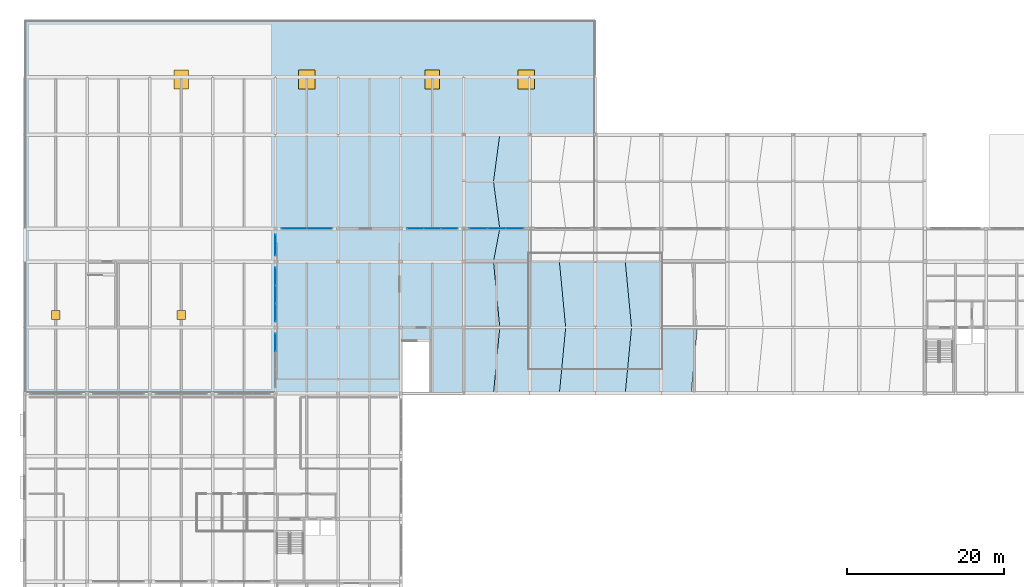
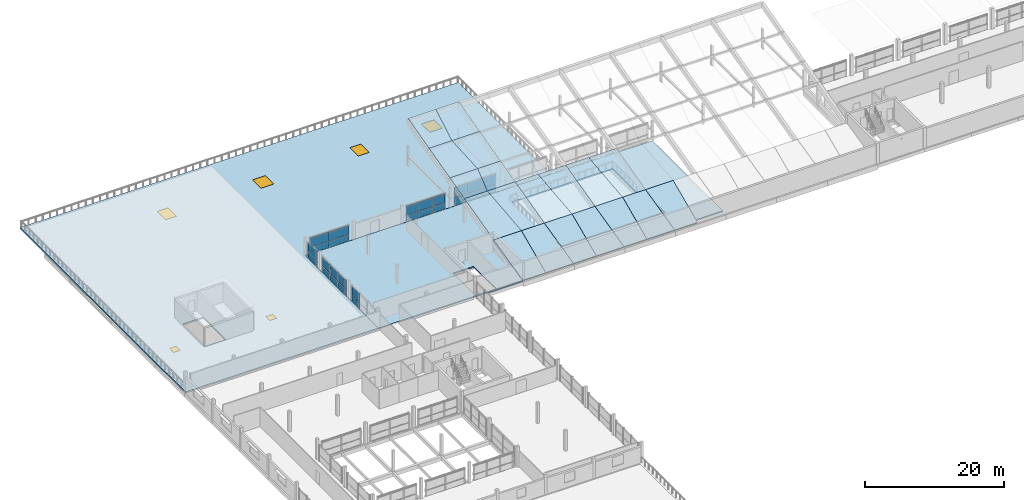
# One storey, part 35 of 51: 26 plates, 21 slabs, 4 windows, 2 doors, 6 openings, 6 elements without a shape of their own.
"""IFC4 building model written with IfcOpenShell, lengths in metres."""

import ifcopenshell
import ifcopenshell.guid

model = None  # the IFC model being written
_history = None  # IfcOwnerHistory: only IFC2X3 demands one
_inside = {}  # id of a spatial element -> (the spatial element, [elements in it])
_under = {}  # id of a project, library or spatial element -> (it, [spatial elements below it])
_declared = {}  # id of a project -> (the project, [libraries it declares])
_typed = {}  # id of a type object -> (the type object, [elements of that type])
_made_of = {}  # id of a material, layer set ... -> (it, [elements and type objects made of it])


def new_model(schema):
    """Start an empty IFC model of exactly this schema.

    Asked for "IFC4X3", IfcOpenShell would pick the latest addendum, in which some entities
    have other attributes; the version numbers below select the first issue.
    IFC2X3 requires an IfcOwnerHistory on every rooted entity: one is made here for all.
    """
    global model, _history
    if schema == "IFC4X3":
        model = ifcopenshell.file(schema_version=(4, 3, 0, 0))
    else:
        model = ifcopenshell.file(schema=schema)
    _inside.clear()
    _under.clear()
    _declared.clear()
    _typed.clear()
    _made_of.clear()
    _history = None
    if model.schema == "IFC2X3":
        org = make("IfcOrganization", Name="unknown")
        user = make(
            "IfcPersonAndOrganization",
            ThePerson=make("IfcPerson", FamilyName="unknown"),
            TheOrganization=org,
        )
        app = make(
            "IfcApplication",
            ApplicationDeveloper=org,
            Version="unknown",
            ApplicationFullName="unknown",
            ApplicationIdentifier="unknown",
        )
        _history = make(
            "IfcOwnerHistory",
            OwningUser=user,
            OwningApplication=app,
            ChangeAction="ADDED",
            CreationDate=0,
        )
    return model


def make(cls, **values):
    """One entity of the class cls with the attributes given. An attribute that is None is left unset."""
    return model.create_entity(
        cls, **{name: value for name, value in values.items() if value is not None}
    )


def rooted(cls, **values):
    """An entity with a GlobalId (a new one), such as an element, a storey or a relation."""
    return make(cls, GlobalId=ifcopenshell.guid.new(), OwnerHistory=_history, **values)


def si_unit(unit_type, name, prefix=None):
    """IfcSIUnit, for example si_unit("LENGTHUNIT", "METRE", prefix="MILLI")."""
    return make("IfcSIUnit", UnitType=unit_type, Prefix=prefix, Name=name)


def assignment(units):
    """IfcUnitAssignment: the units of a project."""
    return None if units is None else make("IfcUnitAssignment", Units=units)


def point(xyz):
    """IfcCartesianPoint."""
    return None if xyz is None else make("IfcCartesianPoint", Coordinates=xyz)


def direction(xyz):
    """IfcDirection."""
    return None if xyz is None else make("IfcDirection", DirectionRatios=xyz)


def frame(location, z_axis=None, x_axis=None):
    """IfcAxis2Placement3D, a coordinate frame: its origin and axes. An axis left out is left unset."""
    return make(
        "IfcAxis2Placement3D",
        Location=point(location),
        Axis=direction(z_axis),
        RefDirection=direction(x_axis),
    )


def frame_2d(location, x_axis=None):
    """IfcAxis2Placement2D, a coordinate frame in the plane: its origin and x axis."""
    return make(
        "IfcAxis2Placement2D", Location=point(location), RefDirection=direction(x_axis)
    )


def origin():
    """The frame at (0, 0, 0) with its axes left unset."""
    return frame((0.0, 0.0, 0.0))


def origin_2d():
    """The frame at (0, 0) in the plane with its x axis left unset."""
    return frame_2d((0.0, 0.0))


def place(relative_to, where):
    """IfcLocalPlacement: puts the frame where relative to a parent placement (None: the world)."""
    return make(
        "IfcLocalPlacement", PlacementRelTo=relative_to, RelativePlacement=where
    )


def context(
    kind, dimensions, precision=None, world=None, true_north=None, identifier=None
):
    """IfcGeometricRepresentationContext, for example the 3D "Model" context."""
    return make(
        "IfcGeometricRepresentationContext",
        ContextIdentifier=identifier,
        ContextType=kind,
        CoordinateSpaceDimension=dimensions,
        Precision=precision,
        WorldCoordinateSystem=world,
        TrueNorth=true_north,
    )


def subcontext(parent, identifier, kind, view, scale=None):
    """IfcGeometricRepresentationSubContext, for example "Body" below "Model"."""
    return make(
        "IfcGeometricRepresentationSubContext",
        ContextIdentifier=identifier,
        ContextType=kind,
        ParentContext=parent,
        TargetScale=scale,
        TargetView=view,
    )


def project(units=None, contexts=None):
    """IfcProject with its units and contexts."""
    return rooted(
        "IfcProject",
        Name="project",
        RepresentationContexts=contexts,
        UnitsInContext=assignment(units),
    )


def spatial(cls, under=None, at=None, **own):
    """A site, building, storey or space (cls), placed at a placement, below another one or the project."""
    s = rooted(cls, ObjectPlacement=at, **own)
    if under is not None:
        _under.setdefault(under.id(), (under, []))[1].append(s)
    return s


def polyline(points):
    """IfcPolyline through the points."""
    return make("IfcPolyline", Points=[point(p) for p in points])


def profile(cls, at=None, kind="AREA", **sizes):
    """A parametric profile (cls). Its sizes go by their IFC names, for example OverallWidth=200.0."""
    return make(cls, ProfileType=kind, Position=at, **sizes)


def rectangle(**sizes):
    """IfcRectangleProfileDef."""
    return profile("IfcRectangleProfileDef", **sizes)


def outline(outer, holes=None, kind="AREA"):
    """IfcArbitraryClosedProfileDef: a profile drawn as a closed curve; with holes, ...WithVoids."""
    if holes is None:
        return make("IfcArbitraryClosedProfileDef", ProfileType=kind, OuterCurve=outer)
    return make(
        "IfcArbitraryProfileDefWithVoids",
        ProfileType=kind,
        OuterCurve=outer,
        InnerCurves=holes,
    )


def extrude(swept, where, along, depth):
    """IfcExtrudedAreaSolid: the profile swept, set in the frame where, extruded along a direction by depth."""
    return make(
        "IfcExtrudedAreaSolid",
        SweptArea=swept,
        Position=where,
        ExtrudedDirection=direction(along),
        Depth=depth,
    )


def shape(context_of_items, identifier, shape_type, items):
    """IfcShapeRepresentation: the items that make up one representation, for example the "Body"."""
    return make(
        "IfcShapeRepresentation",
        ContextOfItems=context_of_items,
        RepresentationIdentifier=identifier,
        RepresentationType=shape_type,
        Items=items,
    )


def material(Name=None, Category=None):
    """IfcMaterial."""
    return make("IfcMaterial", Name=Name, Category=Category)


def layer(
    of_material, thickness, ventilated=None, Name=None, Category=None, Priority=None
):
    """IfcMaterialLayer: one layer of a wall or slab, of a material (None: an air gap)."""
    return make(
        "IfcMaterialLayer",
        Material=of_material,
        LayerThickness=thickness,
        IsVentilated=ventilated,
        Name=Name,
        Category=Category,
        Priority=Priority,
    )


def layer_set(layers, Name=None):
    """IfcMaterialLayerSet."""
    return make("IfcMaterialLayerSet", MaterialLayers=layers, LayerSetName=Name)


def made_of(thing, what):
    """Note that an element or type object is made of a material, layer set ...; save() writes the relation."""
    if what is not None:
        _made_of.setdefault(what.id(), (what, []))[1].append(thing)
    return thing


def type_object(cls, material=None, **own):
    """A type object (cls), such as IfcWallType, which elements share."""
    return made_of(rooted(cls, **own), material)


def element(
    cls,
    number,
    at=None,
    inside=None,
    cuts=None,
    type_object=None,
    material=None,
    context=None,
    identifier="Body",
    shape_type=None,
    held_by="IfcProductDefinitionShape",
    body=None,
    shapes=None,
    **own,
):
    """One element of the class cls, such as IfcWall. Its Tag is "e" and its number.

    at: its placement. inside: the storey or other place that contains it. cuts: it is an
    opening in that element (IfcRelVoidsElement). A single representation is given by context,
    identifier, shape_type and body (its items); several are given by shapes. held_by: the class
    of the entity that holds the representations. save() writes the other relations.
    """
    e = rooted(cls, Tag="e%d" % number, ObjectPlacement=at, **own)
    if body is not None:
        shapes = [shape(context, identifier, shape_type, body)]
    if shapes is not None:
        e.Representation = make(held_by, Representations=shapes)
    if inside is not None:
        _inside.setdefault(inside.id(), (inside, []))[1].append(e)
    if cuts is not None:
        rooted(
            "IfcRelVoidsElement", RelatingBuildingElement=cuts, RelatedOpeningElement=e
        )
    if type_object is not None:
        _typed.setdefault(type_object.id(), (type_object, []))[1].append(e)
    return made_of(e, material)


def fill(opening, filler):
    """IfcRelFillsElement: the door or window that sits in an opening."""
    return rooted(
        "IfcRelFillsElement",
        RelatingOpeningElement=opening,
        RelatedBuildingElement=filler,
    )


def aggregate(whole, parts):
    """IfcRelAggregates: a whole, such as a stair, and the parts it consists of."""
    return rooted("IfcRelAggregates", RelatingObject=whole, RelatedObjects=parts)


def save(model, path):
    """Write the relations noted so far, then the file.

    IfcRelAggregates (storeys below a building ...), IfcRelContainedInSpatialStructure (elements
    in a storey), IfcRelDefinesByType, IfcRelAssociatesMaterial and IfcRelDeclares: one each for
    every whole, place, type object, material and project.
    """
    for whole, parts in _under.values():
        aggregate(whole, parts)
    for where, things in _inside.values():
        rooted(
            "IfcRelContainedInSpatialStructure",
            RelatedElements=things,
            RelatingStructure=where,
        )
    for kind, things in _typed.values():
        rooted("IfcRelDefinesByType", RelatedObjects=things, RelatingType=kind)
    for what, things in _made_of.values():
        rooted("IfcRelAssociatesMaterial", RelatedObjects=things, RelatingMaterial=what)
    for by, libraries in _declared.values():
        rooted("IfcRelDeclares", RelatingContext=by, RelatedDefinitions=libraries)
    model.write(path)


model = new_model("IFC4")

# Units and contexts
model_context = context("Model", 3, precision=1e-05, world=origin(), true_north=direction((0.0, 1.0)))
body_context = subcontext(model_context, "Body", "Model", "MODEL_VIEW")
ifc_project = project(units=[si_unit("LENGTHUNIT", "METRE"), si_unit("AREAUNIT", "SQUARE_METRE"), si_unit("VOLUMEUNIT", "CUBIC_METRE"), si_unit("PLANEANGLEUNIT", "RADIAN"), si_unit("MASSUNIT", "GRAM", prefix="KILO")], contexts=[model_context])

# Site, building, storey
site_placement = place(None, origin())
site = spatial("IfcSite", under=ifc_project, at=site_placement, CompositionType="ELEMENT")
building_placement = place(site_placement, origin())
building = spatial("IfcBuilding", under=site, at=building_placement, Name="Vharandega Faculty of Natural Sciences", CompositionType="ELEMENT")
storey_placement = place(building_placement, frame((0.0, 0.0, 18.0)))
storey = spatial("IfcBuildingStorey", under=building, at=storey_placement, Name="L04", CompositionType="ELEMENT", Elevation=18.0)

# Curtain wall, plates
ifc_material_1 = material(Name="Aluminium and solar-control glass curtain wall", Category="aluminium")
curtain_wall_type_1 = type_object("IfcCurtainWallType", Name="Unitised Curtain Wall System CW-19", PredefinedType="NOTDEFINED", material=ifc_material_1)
curtain_wall_1_placement = place(storey_placement, origin())
curtain_wall_1 = element("IfcCurtainWall", 1, at=curtain_wall_1_placement, inside=storey, type_object=curtain_wall_type_1, Name="Curtain Wall CW-L04-102", PredefinedType="NOTDEFINED")
ifc_material_2 = material(Name="Double-glazed low-E solar glass", Category="glass")
ifc_layer_1 = layer(ifc_material_2, 0.028076171875, Name="Double-glazed low-E solar glass")
ifc_layer_set_1 = layer_set([ifc_layer_1], Name="Double-glazed low-E solar glass")
plate_type = type_object("IfcPlateType", Name="CW Solar Vision Panel 28mm", PredefinedType="CURTAIN_PANEL", material=ifc_layer_set_1)
plate_1_placement = place(storey_placement, frame((34.385009765625, 85.0, 0.06005859375), z_axis=(0.0, 0.0, 1.0), x_axis=(1.0, 0.0, 0.0)))
plate_1 = element("IfcPlate", 2, at=plate_1_placement, type_object=plate_type, Name="CW-19 panel 1.1", PredefinedType="CURTAIN_PANEL", context=body_context, shape_type="SweptSolid", body=[
    extrude(rectangle(XDim=3.169921875, YDim=0.028076171875, at=origin_2d()), origin(), (0.0, 0.0, 1.0), 1.0859375),
])
plate_2_placement = place(storey_placement, frame((34.385009765625, 85.0, 1.2060546875), z_axis=(0.0, 0.0, 1.0), x_axis=(1.0, 0.0, 0.0)))
plate_2 = element("IfcPlate", 3, at=plate_2_placement, type_object=plate_type, Name="CW-19 panel 1.2", PredefinedType="CURTAIN_PANEL", context=body_context, shape_type="SweptSolid", body=[
    extrude(rectangle(XDim=3.169921875, YDim=0.028076171875, at=origin_2d()), origin(), (0.0, 0.0, 1.0), 1.533935546875),
])
plate_3_placement = place(storey_placement, frame((37.614990234375, 85.0, 0.06005859375), z_axis=(0.0, 0.0, 1.0), x_axis=(1.0, 0.0, 0.0)))
plate_3 = element("IfcPlate", 4, at=plate_3_placement, type_object=plate_type, Name="CW-19 panel 2.1", PredefinedType="CURTAIN_PANEL", context=body_context, shape_type="SweptSolid", body=[
    extrude(rectangle(XDim=3.169921875, YDim=0.028076171875, at=origin_2d()), origin(), (0.0, 0.0, 1.0), 1.0859375),
])
plate_4_placement = place(storey_placement, frame((37.614990234375, 85.0, 1.2060546875), z_axis=(0.0, 0.0, 1.0), x_axis=(1.0, 0.0, 0.0)))
plate_4 = element("IfcPlate", 5, at=plate_4_placement, type_object=plate_type, Name="CW-19 panel 2.2", PredefinedType="CURTAIN_PANEL", context=body_context, shape_type="SweptSolid", body=[
    extrude(rectangle(XDim=3.169921875, YDim=0.028076171875, at=origin_2d()), origin(), (0.0, 0.0, 1.0), 1.533935546875),
])
aggregate(curtain_wall_1, [plate_1, plate_2, plate_3, plate_4])

ifc_material_3 = material(Name="Aluminium and solar-control glass curtain wall", Category="aluminium")
curtain_wall_type_2 = type_object("IfcCurtainWallType", Name="Unitised Curtain Wall System CW-20", PredefinedType="NOTDEFINED", material=ifc_material_3)
curtain_wall_2_placement = place(storey_placement, origin())
curtain_wall_2 = element("IfcCurtainWall", 6, at=curtain_wall_2_placement, inside=storey, type_object=curtain_wall_type_2, Name="Curtain Wall CW-L04-103", PredefinedType="NOTDEFINED")
plate_5_placement = place(storey_placement, frame((49.841552734375, 85.0, 0.06005859375), z_axis=(0.0, 0.0, 1.0), x_axis=(1.0, 0.0, 0.0)))
plate_5 = element("IfcPlate", 7, at=plate_5_placement, type_object=plate_type, Name="CW-20 panel 1.1", PredefinedType="CURTAIN_PANEL", context=body_context, shape_type="SweptSolid", body=[
    extrude(rectangle(XDim=2.083251953125, YDim=0.028076171875, at=origin_2d()), origin(), (0.0, 0.0, 1.0), 1.0859375),
])
plate_6_placement = place(storey_placement, frame((49.841552734375, 85.0, 1.2060546875), z_axis=(0.0, 0.0, 1.0), x_axis=(1.0, 0.0, 0.0)))
plate_6 = element("IfcPlate", 8, at=plate_6_placement, type_object=plate_type, Name="CW-20 panel 1.2", PredefinedType="CURTAIN_PANEL", context=body_context, shape_type="SweptSolid", body=[
    extrude(rectangle(XDim=2.083251953125, YDim=0.028076171875, at=origin_2d()), origin(), (0.0, 0.0, 1.0), 1.533935546875),
])
plate_7_placement = place(storey_placement, frame((52.0, 85.0, 0.06005859375), z_axis=(0.0, 0.0, 1.0), x_axis=(1.0, 0.0, 0.0)))
plate_7 = element("IfcPlate", 9, at=plate_7_placement, type_object=plate_type, Name="CW-20 panel 2.1", PredefinedType="CURTAIN_PANEL", context=body_context, shape_type="SweptSolid", body=[
    extrude(rectangle(XDim=2.11328125, YDim=0.028076171875, at=origin_2d()), origin(), (0.0, 0.0, 1.0), 1.0859375),
])
plate_8_placement = place(storey_placement, frame((52.0, 85.0, 1.2060546875), z_axis=(0.0, 0.0, 1.0), x_axis=(1.0, 0.0, 0.0)))
plate_8 = element("IfcPlate", 10, at=plate_8_placement, type_object=plate_type, Name="CW-20 panel 2.2", PredefinedType="CURTAIN_PANEL", context=body_context, shape_type="SweptSolid", body=[
    extrude(rectangle(XDim=2.11328125, YDim=0.028076171875, at=origin_2d()), origin(), (0.0, 0.0, 1.0), 1.533935546875),
])
plate_9_placement = place(storey_placement, frame((54.158447265625, 85.0, 0.06005859375), z_axis=(0.0, 0.0, 1.0), x_axis=(1.0, 0.0, 0.0)))
plate_9 = element("IfcPlate", 11, at=plate_9_placement, type_object=plate_type, Name="CW-20 panel 3.1", PredefinedType="CURTAIN_PANEL", context=body_context, shape_type="SweptSolid", body=[
    extrude(rectangle(XDim=2.083251953125, YDim=0.028076171875, at=origin_2d()), origin(), (0.0, 0.0, 1.0), 1.0859375),
])
plate_10_placement = place(storey_placement, frame((54.158447265625, 85.0, 1.2060546875), z_axis=(0.0, 0.0, 1.0), x_axis=(1.0, 0.0, 0.0)))
plate_10 = element("IfcPlate", 12, at=plate_10_placement, type_object=plate_type, Name="CW-20 panel 3.2", PredefinedType="CURTAIN_PANEL", context=body_context, shape_type="SweptSolid", body=[
    extrude(rectangle(XDim=2.083251953125, YDim=0.028076171875, at=origin_2d()), origin(), (0.0, 0.0, 1.0), 1.533935546875),
])
aggregate(curtain_wall_2, [plate_5, plate_6, plate_7, plate_8, plate_9, plate_10])

ifc_material_4 = material(Name="Aluminium and solar-control glass curtain wall", Category="aluminium")
curtain_wall_type_3 = type_object("IfcCurtainWallType", Name="Unitised Curtain Wall System CW-21", PredefinedType="NOTDEFINED", material=ifc_material_4)
curtain_wall_3_placement = place(storey_placement, origin())
curtain_wall_3 = element("IfcCurtainWall", 13, at=curtain_wall_3_placement, inside=storey, type_object=curtain_wall_type_3, Name="Curtain Wall CW-L04-104", PredefinedType="NOTDEFINED")
plate_11_placement = place(storey_placement, frame((57.908447265625, 85.0, 0.06005859375), z_axis=(0.0, 0.0, 1.0), x_axis=(1.0, 0.0, 0.0)))
plate_11 = element("IfcPlate", 14, at=plate_11_placement, type_object=plate_type, Name="CW-21 panel 1.1", PredefinedType="CURTAIN_PANEL", context=body_context, shape_type="SweptSolid", body=[
    extrude(rectangle(XDim=2.216552734375, YDim=0.028076171875, at=origin_2d()), origin(), (0.0, 0.0, 1.0), 1.304443359375),
])
plate_12_placement = place(storey_placement, frame((57.908447265625, 85.0, 1.42431640625), z_axis=(0.0, 0.0, 1.0), x_axis=(1.0, 0.0, 0.0)))
plate_12 = element("IfcPlate", 15, at=plate_12_placement, type_object=plate_type, Name="CW-21 panel 1.2", PredefinedType="CURTAIN_PANEL", context=body_context, shape_type="SweptSolid", body=[
    extrude(rectangle(XDim=2.216552734375, YDim=0.028076171875, at=origin_2d()), origin(), (0.0, 0.0, 1.0), 1.835693359375),
])
plate_13_placement = place(storey_placement, frame((60.199951171875, 85.0, 0.06005859375), z_axis=(0.0, 0.0, 1.0), x_axis=(1.0, 0.0, 0.0)))
plate_13 = element("IfcPlate", 16, at=plate_13_placement, type_object=plate_type, Name="CW-21 panel 2.1", PredefinedType="CURTAIN_PANEL", context=body_context, shape_type="SweptSolid", body=[
    extrude(rectangle(XDim=2.24658203125, YDim=0.028076171875, at=origin_2d()), origin(), (0.0, 0.0, 1.0), 1.304443359375),
])
plate_14_placement = place(storey_placement, frame((60.199951171875, 85.0, 1.42431640625), z_axis=(0.0, 0.0, 1.0), x_axis=(1.0, 0.0, 0.0)))
plate_14 = element("IfcPlate", 17, at=plate_14_placement, type_object=plate_type, Name="CW-21 panel 2.2", PredefinedType="CURTAIN_PANEL", context=body_context, shape_type="SweptSolid", body=[
    extrude(rectangle(XDim=2.24658203125, YDim=0.028076171875, at=origin_2d()), origin(), (0.0, 0.0, 1.0), 1.835693359375),
])
plate_15_placement = place(storey_placement, frame((62.49169921875, 85.0, 0.06005859375), z_axis=(0.0, 0.0, 1.0), x_axis=(1.0, 0.0, 0.0)))
plate_15 = element("IfcPlate", 18, at=plate_15_placement, type_object=plate_type, Name="CW-21 panel 3.1", PredefinedType="CURTAIN_PANEL", context=body_context, shape_type="SweptSolid", body=[
    extrude(rectangle(XDim=2.216552734375, YDim=0.028076171875, at=origin_2d()), origin(), (0.0, 0.0, 1.0), 1.304443359375),
])
plate_16_placement = place(storey_placement, frame((62.49169921875, 85.0, 1.42431640625), z_axis=(0.0, 0.0, 1.0), x_axis=(1.0, 0.0, 0.0)))
plate_16 = element("IfcPlate", 19, at=plate_16_placement, type_object=plate_type, Name="CW-21 panel 3.2", PredefinedType="CURTAIN_PANEL", context=body_context, shape_type="SweptSolid", body=[
    extrude(rectangle(XDim=2.216552734375, YDim=0.028076171875, at=origin_2d()), origin(), (0.0, 0.0, 1.0), 1.835693359375),
])
aggregate(curtain_wall_3, [plate_11, plate_12, plate_13, plate_14, plate_15, plate_16])

ifc_material_5 = material(Name="Aluminium and solar-control glass curtain wall", Category="aluminium")
curtain_wall_type_4 = type_object("IfcCurtainWallType", Name="Unitised Curtain Wall System CW-25", PredefinedType="NOTDEFINED", material=ifc_material_5)
curtain_wall_4_placement = place(storey_placement, origin())
curtain_wall_4 = element("IfcCurtainWall", 20, at=curtain_wall_4_placement, inside=storey, type_object=curtain_wall_type_4, Name="Curtain Wall CW-L04-108", PredefinedType="NOTDEFINED")
plate_17_placement = place(storey_placement, frame((32.0, 70.49169921875, 0.06005859375), z_axis=(0.0, 0.0, 1.0), x_axis=(0.0, 1.0, 0.0)))
plate_17 = element("IfcPlate", 21, at=plate_17_placement, type_object=plate_type, Name="CW-25 panel 3.1", PredefinedType="CURTAIN_PANEL", context=body_context, shape_type="SweptSolid", body=[
    extrude(rectangle(XDim=2.216552734375, YDim=0.028076171875, at=origin_2d()), origin(), (0.0, 0.0, 1.0), 1.069091796875),
])
plate_18_placement = place(storey_placement, frame((32.0, 70.49169921875, 1.189208984375), z_axis=(0.0, 0.0, 1.0), x_axis=(0.0, 1.0, 0.0)))
plate_18 = element("IfcPlate", 22, at=plate_18_placement, type_object=plate_type, Name="CW-25 panel 3.2", PredefinedType="CURTAIN_PANEL", context=body_context, shape_type="SweptSolid", body=[
    extrude(rectangle(XDim=2.216552734375, YDim=0.028076171875, at=origin_2d()), origin(), (0.0, 0.0, 1.0), 1.5107421875),
])
aggregate(curtain_wall_4, [plate_17, plate_18])

ifc_material_6 = material(Name="Aluminium and solar-control glass curtain wall", Category="aluminium")
curtain_wall_type_5 = type_object("IfcCurtainWallType", Name="Unitised Curtain Wall System CW-26", PredefinedType="NOTDEFINED", material=ifc_material_6)
curtain_wall_5_placement = place(storey_placement, origin())
curtain_wall_5 = element("IfcCurtainWall", 23, at=curtain_wall_5_placement, inside=storey, type_object=curtain_wall_type_5, Name="Curtain Wall CW-L04-109", PredefinedType="NOTDEFINED")
plate_19_placement = place(storey_placement, frame((32.0, 74.308349609375, 0.06005859375), z_axis=(0.0, 0.0, 1.0), x_axis=(0.0, 1.0, 0.0)))
plate_19 = element("IfcPlate", 24, at=plate_19_placement, type_object=plate_type, Name="CW-26 panel 1.1", PredefinedType="CURTAIN_PANEL", context=body_context, shape_type="SweptSolid", body=[
    extrude(rectangle(XDim=2.216552734375, YDim=0.028076171875, at=origin_2d()), origin(), (0.0, 0.0, 1.0), 1.069091796875),
])
plate_20_placement = place(storey_placement, frame((32.0, 74.308349609375, 1.189208984375), z_axis=(0.0, 0.0, 1.0), x_axis=(0.0, 1.0, 0.0)))
plate_20 = element("IfcPlate", 25, at=plate_20_placement, type_object=plate_type, Name="CW-26 panel 1.2", PredefinedType="CURTAIN_PANEL", context=body_context, shape_type="SweptSolid", body=[
    extrude(rectangle(XDim=2.216552734375, YDim=0.028076171875, at=origin_2d()), origin(), (0.0, 0.0, 1.0), 1.5107421875),
])
plate_21_placement = place(storey_placement, frame((32.0, 76.60009765625, 0.06005859375), z_axis=(0.0, 0.0, 1.0), x_axis=(0.0, 1.0, 0.0)))
plate_21 = element("IfcPlate", 26, at=plate_21_placement, type_object=plate_type, Name="CW-26 panel 2.1", PredefinedType="CURTAIN_PANEL", context=body_context, shape_type="SweptSolid", body=[
    extrude(rectangle(XDim=2.24658203125, YDim=0.028076171875, at=origin_2d()), origin(), (0.0, 0.0, 1.0), 1.069091796875),
])
plate_22_placement = place(storey_placement, frame((32.0, 76.60009765625, 1.189208984375), z_axis=(0.0, 0.0, 1.0), x_axis=(0.0, 1.0, 0.0)))
plate_22 = element("IfcPlate", 27, at=plate_22_placement, type_object=plate_type, Name="CW-26 panel 2.2", PredefinedType="CURTAIN_PANEL", context=body_context, shape_type="SweptSolid", body=[
    extrude(rectangle(XDim=2.24658203125, YDim=0.028076171875, at=origin_2d()), origin(), (0.0, 0.0, 1.0), 1.5107421875),
])
plate_23_placement = place(storey_placement, frame((32.0, 78.8916015625, 0.06005859375), z_axis=(0.0, 0.0, 1.0), x_axis=(0.0, 1.0, 0.0)))
plate_23 = element("IfcPlate", 28, at=plate_23_placement, type_object=plate_type, Name="CW-26 panel 3.1", PredefinedType="CURTAIN_PANEL", context=body_context, shape_type="SweptSolid", body=[
    extrude(rectangle(XDim=2.216552734375, YDim=0.028076171875, at=origin_2d()), origin(), (0.0, 0.0, 1.0), 1.069091796875),
])
plate_24_placement = place(storey_placement, frame((32.0, 78.8916015625, 1.189208984375), z_axis=(0.0, 0.0, 1.0), x_axis=(0.0, 1.0, 0.0)))
plate_24 = element("IfcPlate", 29, at=plate_24_placement, type_object=plate_type, Name="CW-26 panel 3.2", PredefinedType="CURTAIN_PANEL", context=body_context, shape_type="SweptSolid", body=[
    extrude(rectangle(XDim=2.216552734375, YDim=0.028076171875, at=origin_2d()), origin(), (0.0, 0.0, 1.0), 1.5107421875),
])
aggregate(curtain_wall_5, [plate_19, plate_20, plate_21, plate_22, plate_23, plate_24])

ifc_material_7 = material(Name="Aluminium and solar-control glass curtain wall", Category="aluminium")
curtain_wall_type_6 = type_object("IfcCurtainWallType", Name="Unitised Curtain Wall System CW-27", PredefinedType="NOTDEFINED", material=ifc_material_7)
curtain_wall_6_placement = place(storey_placement, origin())
curtain_wall_6 = element("IfcCurtainWall", 30, at=curtain_wall_6_placement, inside=storey, type_object=curtain_wall_type_6, Name="Curtain Wall CW-L04-110", PredefinedType="NOTDEFINED")
plate_25_placement = place(storey_placement, frame((32.0, 82.89990234375, 0.06005859375), z_axis=(0.0, 0.0, 1.0), x_axis=(0.0, 1.0, 0.0)))
plate_25 = element("IfcPlate", 31, at=plate_25_placement, type_object=plate_type, Name="CW-27 panel 1.1", PredefinedType="CURTAIN_PANEL", context=body_context, shape_type="SweptSolid", body=[
    extrude(rectangle(XDim=2.60009765625, YDim=0.028076171875, at=origin_2d()), origin(), (0.0, 0.0, 1.0), 1.069091796875),
])
plate_26_placement = place(storey_placement, frame((32.0, 82.89990234375, 1.189208984375), z_axis=(0.0, 0.0, 1.0), x_axis=(0.0, 1.0, 0.0)))
plate_26 = element("IfcPlate", 32, at=plate_26_placement, type_object=plate_type, Name="CW-27 panel 1.2", PredefinedType="CURTAIN_PANEL", context=body_context, shape_type="SweptSolid", body=[
    extrude(rectangle(XDim=2.60009765625, YDim=0.028076171875, at=origin_2d()), origin(), (0.0, 0.0, 1.0), 1.5107421875),
])
aggregate(curtain_wall_6, [plate_25, plate_26])

# Slabs
ifc_material_8 = material(Name="Concrete C40/50", Category="concrete")
ifc_layer_2 = layer(ifc_material_8, 0.159912109375, Name="Concrete C40/50")
ifc_layer_set_2 = layer_set([ifc_layer_2], Name="Concrete C40/50")
slab_type_1 = type_object("IfcSlabType", Name="Conoidal Shell Roof 160", PredefinedType="ROOF", material=ifc_layer_set_2)
slab_1_placement = place(storey_placement, frame((56.0, 64.0, 0.0), z_axis=(0.0, -0.231623075633, 0.972805607937), x_axis=(1.0, 0.0, 0.0)))
element("IfcSlab", 33, at=slab_1_placement, inside=storey, type_object=slab_type_1, Name="Conoidal Shell Roof SH-B1-S1W", PredefinedType="ROOF", context=body_context, shape_type="SweptSolid", body=[
    extrude(outline(polyline([(0.0, 0.0), (3.800048828125, 0.0), (4.60009765625, 8.634718257391885), (0.0, 8.634718257391885), (0.0, 0.0)])), origin(), (0.0, 0.0, -1.0), 0.159912109375),
])
slab_2_placement = place(storey_placement, frame((59.800048828125, 64.0, 0.0), z_axis=(0.0, -0.231623075633, 0.972805607937), x_axis=(1.0, 0.0, 0.0)))
element("IfcSlab", 34, at=slab_2_placement, inside=storey, type_object=slab_type_1, Name="Conoidal Shell Roof SH-B1-S1E", PredefinedType="ROOF", context=body_context, shape_type="SweptSolid", body=[
    extrude(outline(polyline([(0.0, 0.0), (4.599853515625, 0.0), (4.599853515625, 8.634718257391885), (0.800048828125, 8.634718257391885), (0.0, 0.0)])), origin(), (0.0, 0.0, -1.0), 0.159912109375),
])
slab_3_placement = place(storey_placement, frame((56.0, 72.39990234375, 2.0), z_axis=(0.0, -0.247944487222, 0.968774241635), x_axis=(1.0, 0.0, 0.0)))
element("IfcSlab", 35, at=slab_3_placement, inside=storey, type_object=slab_type_1, Name="Conoidal Shell Roof SH-B1-S2W", PredefinedType="ROOF", context=body_context, shape_type="SweptSolid", body=[
    extrude(outline(polyline([(0.0, 0.0), (4.60009765625, 0.0), (3.800048828125, 8.670901974225025), (0.0, 8.670901974225025), (0.0, 0.0)])), origin(), (0.0, 0.0, -1.0), 0.159912109375),
])
slab_4_placement = place(storey_placement, frame((60.60009765625, 72.39990234375, 2.0), z_axis=(0.0, -0.247944487222, 0.968774241635), x_axis=(1.0, 0.0, 0.0)))
element("IfcSlab", 36, at=slab_4_placement, inside=storey, type_object=slab_type_1, Name="Conoidal Shell Roof SH-B1-S2E", PredefinedType="ROOF", context=body_context, shape_type="SweptSolid", body=[
    extrude(outline(polyline([(0.0, 0.0), (3.7998046875, 0.0), (3.7998046875, 8.670901974225025), (-0.800048828125, 8.670901974225025), (0.0, 0.0)])), origin(), (0.0, 0.0, -1.0), 0.159912109375),
])
slab_5_placement = place(storey_placement, frame((56.0, 80.800048828125, 4.14990234375), z_axis=(0.0, -0.253383197308, 0.967365988301), x_axis=(1.0, 0.0, 0.0)))
element("IfcSlab", 37, at=slab_5_placement, inside=storey, type_object=slab_type_1, Name="Conoidal Shell Roof SH-B1-S3W", PredefinedType="ROOF", context=body_context, shape_type="SweptSolid", body=[
    extrude(outline(polyline([(0.0, 0.0), (3.800048828125, 0.0), (4.60009765625, 4.341636177689343), (0.0, 4.341636177689343), (0.0, 0.0)])), origin(), (0.0, 0.0, -1.0), 0.159912109375),
])
slab_6_placement = place(storey_placement, frame((59.800048828125, 80.800048828125, 4.14990234375), z_axis=(0.0, -0.253383197308, 0.967365988301), x_axis=(1.0, 0.0, 0.0)))
element("IfcSlab", 38, at=slab_6_placement, inside=storey, type_object=slab_type_1, Name="Conoidal Shell Roof SH-B1-S3E", PredefinedType="ROOF", context=body_context, shape_type="SweptSolid", body=[
    extrude(outline(polyline([(0.0, 0.0), (4.599853515625, 0.0), (4.599853515625, 4.341636177689343), (0.800048828125, 4.341636177689343), (0.0, 0.0)])), origin(), (0.0, 0.0, -1.0), 0.159912109375),
])
slab_7_placement = place(storey_placement, frame((56.0, 85.0, 5.25), z_axis=(0.0, -0.250129418968, 0.968212411492), x_axis=(1.0, 0.0, 0.0)))
element("IfcSlab", 39, at=slab_7_placement, inside=storey, type_object=slab_type_1, Name="Conoidal Shell Roof SH-B1-S4W", PredefinedType="ROOF", context=body_context, shape_type="SweptSolid", body=[
    extrude(outline(polyline([(0.0, 0.0), (4.60009765625, 0.0), (3.800048828125, 6.196987281701625), (0.0, 6.196987281701625), (0.0, 0.0)])), origin(), (0.0, 0.0, -1.0), 0.159912109375),
])
slab_8_placement = place(storey_placement, frame((60.60009765625, 85.0, 5.25), z_axis=(0.0, -0.250129418968, 0.968212411492), x_axis=(1.0, 0.0, 0.0)))
element("IfcSlab", 40, at=slab_8_placement, inside=storey, type_object=slab_type_1, Name="Conoidal Shell Roof SH-B1-S4E", PredefinedType="ROOF", context=body_context, shape_type="SweptSolid", body=[
    extrude(outline(polyline([(0.0, 0.0), (3.7998046875, 0.0), (3.7998046875, 6.196987281701624), (-0.800048828125, 6.196987281701624), (0.0, 0.0)])), origin(), (0.0, 0.0, -1.0), 0.159912109375),
])
slab_9_placement = place(storey_placement, frame((56.0, 91.0, 6.800048828125), z_axis=(0.0, -0.257640626762, 0.966240812345), x_axis=(1.0, 0.0, 0.0)))
element("IfcSlab", 41, at=slab_9_placement, inside=storey, type_object=slab_type_1, Name="Conoidal Shell Roof SH-B1-S5W", PredefinedType="ROOF", context=body_context, shape_type="SweptSolid", body=[
    extrude(outline(polyline([(0.0, 0.0), (3.800048828125, 0.0), (4.60009765625, 6.209632136564747), (0.0, 6.209632136564747), (0.0, 0.0)])), origin(), (0.0, 0.0, -1.0), 0.159912109375),
])
slab_10_placement = place(storey_placement, frame((59.800048828125, 91.0, 6.800048828125), z_axis=(0.0, -0.257640626762, 0.966240812345), x_axis=(1.0, 0.0, 0.0)))
element("IfcSlab", 42, at=slab_10_placement, inside=storey, type_object=slab_type_1, Name="Conoidal Shell Roof SH-B1-S5E", PredefinedType="ROOF", context=body_context, shape_type="SweptSolid", body=[
    extrude(outline(polyline([(0.0, 0.0), (4.599853515625, 0.0), (4.599853515625, 6.209632136564747), (0.800048828125, 6.209632136564747), (0.0, 0.0)])), origin(), (0.0, 0.0, -1.0), 0.159912109375),
])
slab_11_placement = place(storey_placement, frame((64.39990234375, 64.0, 0.0), z_axis=(0.0, -0.231623075633, 0.972805607937), x_axis=(1.0, 0.0, 0.0)))
element("IfcSlab", 43, at=slab_11_placement, inside=storey, type_object=slab_type_1, Name="Conoidal Shell Roof SH-B2-S1W", PredefinedType="ROOF", context=body_context, shape_type="SweptSolid", body=[
    extrude(outline(polyline([(0.0, 0.0), (3.800048828125, 0.0), (4.60009765625, 8.634718257391885), (0.0, 8.634718257391885), (0.0, 0.0)])), origin(), (0.0, 0.0, -1.0), 0.159912109375),
])
slab_12_placement = place(storey_placement, frame((68.199951171875, 64.0, 0.0), z_axis=(0.0, -0.231623075633, 0.972805607937), x_axis=(1.0, 0.0, 0.0)))
element("IfcSlab", 44, at=slab_12_placement, inside=storey, type_object=slab_type_1, Name="Conoidal Shell Roof SH-B2-S1E", PredefinedType="ROOF", context=body_context, shape_type="SweptSolid", body=[
    extrude(outline(polyline([(0.0, 0.0), (4.60009765625, 0.0), (4.60009765625, 8.634718257391885), (0.800048828125, 8.634718257391885), (0.0, 0.0)])), origin(), (0.0, 0.0, -1.0), 0.159912109375),
])
slab_13_placement = place(storey_placement, frame((64.39990234375, 72.39990234375, 2.0), z_axis=(0.0, -0.247944487222, 0.968774241635), x_axis=(1.0, 0.0, 0.0)))
element("IfcSlab", 45, at=slab_13_placement, inside=storey, type_object=slab_type_1, Name="Conoidal Shell Roof SH-B2-S2W", PredefinedType="ROOF", context=body_context, shape_type="SweptSolid", body=[
    extrude(outline(polyline([(0.0, 0.0), (4.60009765625, 0.0), (3.800048828125, 8.670901974225025), (0.0, 8.670901974225025), (0.0, 0.0)])), origin(), (0.0, 0.0, -1.0), 0.159912109375),
])
slab_14_placement = place(storey_placement, frame((69.0, 72.39990234375, 2.0), z_axis=(0.0, -0.247944487222, 0.968774241635), x_axis=(1.0, 0.0, 0.0)))
element("IfcSlab", 46, at=slab_14_placement, inside=storey, type_object=slab_type_1, Name="Conoidal Shell Roof SH-B2-S2E", PredefinedType="ROOF", context=body_context, shape_type="SweptSolid", body=[
    extrude(outline(polyline([(0.0, 0.0), (3.800048828125, 0.0), (3.800048828125, 8.670901974225025), (-0.800048828125, 8.670901974225025), (0.0, 0.0)])), origin(), (0.0, 0.0, -1.0), 0.159912109375),
])
slab_15_placement = place(storey_placement, frame((72.800048828125, 64.0, 0.0), z_axis=(0.0, -0.231623075633, 0.972805607937), x_axis=(1.0, 0.0, 0.0)))
element("IfcSlab", 47, at=slab_15_placement, inside=storey, type_object=slab_type_1, Name="Conoidal Shell Roof SH-B3-S1W", PredefinedType="ROOF", context=body_context, shape_type="SweptSolid", body=[
    extrude(outline(polyline([(0.0, 0.0), (3.800048828125, 0.0), (4.599853515625, 8.634718257391885), (0.0, 8.634718257391885), (0.0, 0.0)])), origin(), (0.0, 0.0, -1.0), 0.159912109375),
])
slab_16_placement = place(storey_placement, frame((76.60009765625, 64.0, 0.0), z_axis=(0.0, -0.231623075633, 0.972805607937), x_axis=(1.0, 0.0, 0.0)))
element("IfcSlab", 48, at=slab_16_placement, inside=storey, type_object=slab_type_1, Name="Conoidal Shell Roof SH-B3-S1E", PredefinedType="ROOF", context=body_context, shape_type="SweptSolid", body=[
    extrude(outline(polyline([(0.0, 0.0), (4.599853515625, 0.0), (4.599853515625, 8.634718257391885), (0.7998046875, 8.634718257391885), (0.0, 0.0)])), origin(), (0.0, 0.0, -1.0), 0.159912109375),
])
slab_17_placement = place(storey_placement, frame((72.800048828125, 72.39990234375, 2.0), z_axis=(0.0, -0.247944487222, 0.968774241635), x_axis=(1.0, 0.0, 0.0)))
element("IfcSlab", 49, at=slab_17_placement, inside=storey, type_object=slab_type_1, Name="Conoidal Shell Roof SH-B3-S2W", PredefinedType="ROOF", context=body_context, shape_type="SweptSolid", body=[
    extrude(outline(polyline([(0.0, 0.0), (4.599853515625, 0.0), (3.800048828125, 8.670901974225027), (0.0, 8.670901974225027), (0.0, 0.0)])), origin(), (0.0, 0.0, -1.0), 0.159912109375),
])
slab_18_placement = place(storey_placement, frame((77.39990234375, 72.39990234375, 2.0), z_axis=(0.0, -0.247944487222, 0.968774241635), x_axis=(1.0, 0.0, 0.0)))
element("IfcSlab", 50, at=slab_18_placement, inside=storey, type_object=slab_type_1, Name="Conoidal Shell Roof SH-B3-S2E", PredefinedType="ROOF", context=body_context, shape_type="SweptSolid", body=[
    extrude(outline(polyline([(0.0, 0.0), (3.800048828125, 0.0), (3.800048828125, 8.670901974225027), (-0.7998046875, 8.670901974225027), (0.0, 0.0)])), origin(), (0.0, 0.0, -1.0), 0.159912109375),
])
slab_19_placement = place(storey_placement, frame((81.199951171875, 64.0, 0.0), z_axis=(0.0, -0.231623075633, 0.972805607937), x_axis=(1.0, 0.0, 0.0)))
element("IfcSlab", 51, at=slab_19_placement, inside=storey, type_object=slab_type_1, Name="Conoidal Shell Roof SH-B4-S1W", PredefinedType="ROOF", context=body_context, shape_type="SweptSolid", body=[
    extrude(outline(polyline([(0.0, 0.0), (3.800048828125, 0.0), (4.60009765625, 8.634718257391885), (0.0, 8.634718257391885), (0.0, 0.0)])), origin(), (0.0, 0.0, -1.0), 0.159912109375),
])

# Slab, openings, doors, windows
ifc_material_9 = material(Name="Cross-laminated timber CLT7-240", Category="wood")
ifc_layer_3 = layer(ifc_material_9, 0.260009765625, Name="Cross-laminated timber CLT7-240")
ifc_layer_set_3 = layer_set([ifc_layer_3], Name="Cross-laminated timber CLT7-240")
slab_type_2 = type_object("IfcSlabType", Name="ROOF-GARDEN-260", PredefinedType="ROOF", material=ifc_layer_set_3)
slab_20_placement = place(storey_placement, frame((0.0, 0.0, -0.260009765625)))
slab_20 = element("IfcSlab", 52, at=slab_20_placement, inside=storey, type_object=slab_type_2, Name="L04 V2 Planted Terrace Slab", PredefinedType="ROOF", context=body_context, shape_type="SweptSolid", body=[
    extrude(outline(polyline([(0.0, 64.0), (32.0, 64.0), (32.0, 85.0), (72.800048828125, 85.0), (72.800048828125, 111.60009765625), (0.0, 111.60009765625), (0.0, 64.0)]), holes=[polyline([(8.139892578125, 78.945068359375), (8.139892578125, 72.5400390625), (11.56005859375, 72.5400390625), (11.56005859375, 78.945068359375), (8.139892578125, 78.945068359375)])]), origin(), (0.0, 0.0, 1.0), 0.260009765625),
])
opening_1_placement = place(slab_20_placement, frame((20.0, 104.0, 0.0)))
opening_1 = element("IfcOpeningElement", 53, at=opening_1_placement, cuts=slab_20, Name="Opening SK-03", PredefinedType="OPENING", context=body_context, shape_type="SweptSolid", body=[
    extrude(rectangle(XDim=1.800048828125, YDim=2.39990234375, at=origin_2d()), origin(), (0.0, 0.0, 1.0), 0.260009765625),
])
opening_2_placement = place(slab_20_placement, frame((36.0, 104.0, 0.0)))
opening_2 = element("IfcOpeningElement", 54, at=opening_2_placement, cuts=slab_20, Name="Opening SK-04", PredefinedType="OPENING", context=body_context, shape_type="SweptSolid", body=[
    extrude(rectangle(XDim=2.10009765625, YDim=2.39990234375, at=origin_2d()), origin(), (0.0, 0.0, 1.0), 0.260009765625),
])
opening_3_placement = place(slab_20_placement, frame((52.0, 104.0, 0.0)))
opening_3 = element("IfcOpeningElement", 55, at=opening_3_placement, cuts=slab_20, Name="Opening SK-03", PredefinedType="OPENING", context=body_context, shape_type="SweptSolid", body=[
    extrude(rectangle(XDim=1.800048828125, YDim=2.39990234375, at=origin_2d()), origin(), (0.0, 0.0, 1.0), 0.260009765625),
])
opening_4_placement = place(slab_20_placement, frame((64.0, 104.0, 0.0)))
opening_4 = element("IfcOpeningElement", 56, at=opening_4_placement, cuts=slab_20, Name="Opening SK-04", PredefinedType="OPENING", context=body_context, shape_type="SweptSolid", body=[
    extrude(rectangle(XDim=2.10009765625, YDim=2.39990234375, at=origin_2d()), origin(), (0.0, 0.0, 1.0), 0.260009765625),
])
opening_5_placement = place(slab_20_placement, frame((4.0, 74.0, 0.0)))
opening_5 = element("IfcOpeningElement", 57, at=opening_5_placement, cuts=slab_20, Name="Opening TD-R01", PredefinedType="OPENING", context=body_context, shape_type="SweptSolid", body=[
    extrude(rectangle(XDim=1.10009765625, YDim=1.10009765625, at=origin_2d()), origin(), (0.0, 0.0, 1.0), 0.260009765625),
])
opening_6_placement = place(slab_20_placement, frame((20.0, 74.0, 0.0)))
opening_6 = element("IfcOpeningElement", 58, at=opening_6_placement, cuts=slab_20, Name="Opening TD-R02", PredefinedType="OPENING", context=body_context, shape_type="SweptSolid", body=[
    extrude(rectangle(XDim=1.10009765625, YDim=1.10009765625, at=origin_2d()), origin(), (0.0, 0.0, 1.0), 0.260009765625),
])
ifc_material_10 = material(Name="Thermally broken glazed aluminium door", Category="aluminium")
door_type = type_object("IfcDoorType", Name="ROOF-ACCESS-TRAPDOOR-1100x1100", OperationType="SINGLE_SWING_LEFT", PredefinedType="TRAPDOOR", material=ifc_material_10)
door_1_placement = place(opening_5_placement, frame((0.0, 0.0, 0.2099609375)))
door_1 = element("IfcDoor", 59, at=door_1_placement, inside=storey, type_object=door_type, Name="Roof Access Trapdoor TD-R01", OperationType="SINGLE_SWING_LEFT", OverallHeight=1.10009765625, OverallWidth=1.10009765625, PredefinedType="TRAPDOOR", context=body_context, shape_type="SweptSolid", body=[
    extrude(rectangle(XDim=1.10009765625, YDim=1.10009765625, at=origin_2d()), origin(), (0.0, 0.0, 1.0), 0.050048828125),
])
fill(opening_5, door_1)
door_2_placement = place(opening_6_placement, frame((0.0, 0.0, 0.2099609375)))
door_2 = element("IfcDoor", 60, at=door_2_placement, inside=storey, type_object=door_type, Name="Roof Access Trapdoor TD-R02", OperationType="SINGLE_SWING_LEFT", OverallHeight=1.10009765625, OverallWidth=1.10009765625, PredefinedType="TRAPDOOR", context=body_context, shape_type="SweptSolid", body=[
    extrude(rectangle(XDim=1.10009765625, YDim=1.10009765625, at=origin_2d()), origin(), (0.0, 0.0, 1.0), 0.050048828125),
])
fill(opening_6, door_2)
ifc_material_11 = material(Name="Double-glazed solar-control glass in thermally broken aluminium frame", Category="aluminium")
window_type_1 = type_object("IfcWindowType", Name="SKY-DOM-180x240", PartitioningType="DOUBLE_PANEL_VERTICAL", PredefinedType="SKYLIGHT", material=ifc_material_11)
window_1_placement = place(opening_1_placement, frame((0.0, 0.0, 0.2099609375)))
window_1 = element("IfcWindow", 61, at=window_1_placement, inside=storey, type_object=window_type_1, Name="Roof Skylight 01", OverallHeight=2.39990234375, OverallWidth=1.800048828125, PartitioningType="SINGLE_PANEL", PredefinedType="SKYLIGHT", context=body_context, shape_type="SweptSolid", body=[
    extrude(rectangle(XDim=1.800048828125, YDim=2.39990234375, at=origin_2d()), origin(), (0.0, 0.0, 1.0), 0.050048828125),
])
fill(opening_1, window_1)
window_2_placement = place(opening_3_placement, frame((0.0, 0.0, 0.2099609375)))
window_2 = element("IfcWindow", 62, at=window_2_placement, inside=storey, type_object=window_type_1, Name="Roof Skylight 03", OverallHeight=2.39990234375, OverallWidth=1.800048828125, PartitioningType="SINGLE_PANEL", PredefinedType="SKYLIGHT", context=body_context, shape_type="SweptSolid", body=[
    extrude(rectangle(XDim=1.800048828125, YDim=2.39990234375, at=origin_2d()), origin(), (0.0, 0.0, 1.0), 0.050048828125),
])
fill(opening_3, window_2)
ifc_material_12 = material(Name="Double-glazed solar-control glass in thermally broken aluminium frame", Category="aluminium")
window_type_2 = type_object("IfcWindowType", Name="SKY-DOM-210x240", PartitioningType="DOUBLE_PANEL_VERTICAL", PredefinedType="SKYLIGHT", material=ifc_material_12)
window_3_placement = place(opening_2_placement, frame((0.0, 0.0, 0.2099609375)))
window_3 = element("IfcWindow", 63, at=window_3_placement, inside=storey, type_object=window_type_2, Name="Roof Skylight 02", OverallHeight=2.39990234375, OverallWidth=2.10009765625, PartitioningType="SINGLE_PANEL", PredefinedType="SKYLIGHT", context=body_context, shape_type="SweptSolid", body=[
    extrude(rectangle(XDim=2.10009765625, YDim=2.39990234375, at=origin_2d()), origin(), (0.0, 0.0, 1.0), 0.050048828125),
])
fill(opening_2, window_3)
window_4_placement = place(opening_4_placement, frame((0.0, 0.0, 0.2099609375)))
window_4 = element("IfcWindow", 64, at=window_4_placement, inside=storey, type_object=window_type_2, Name="Roof Skylight 04", OverallHeight=2.39990234375, OverallWidth=2.10009765625, PartitioningType="SINGLE_PANEL", PredefinedType="SKYLIGHT", context=body_context, shape_type="SweptSolid", body=[
    extrude(rectangle(XDim=2.10009765625, YDim=2.39990234375, at=origin_2d()), origin(), (0.0, 0.0, 1.0), 0.050048828125),
])
fill(opening_4, window_4)

# Slab
ifc_material_13 = material(Name="Cross-laminated timber CLT7-240", Category="wood")
ifc_layer_4 = layer(ifc_material_13, 0.219970703125, Name="Cross-laminated timber CLT7-240")
ifc_layer_set_4 = layer_set([ifc_layer_4], Name="Cross-laminated timber CLT7-240")
slab_type_3 = type_object("IfcSlabType", Name="SLAB-CLT-220", PredefinedType="FLOOR", material=ifc_layer_set_4)
slab_21_placement = place(storey_placement, frame((0.0, 0.0, -0.219970703125)))
element("IfcSlab", 65, at=slab_21_placement, inside=storey, type_object=slab_type_3, Name="L04 V3 Floor Slab", PredefinedType="FLOOR", context=body_context, shape_type="SweptSolid", body=[
    extrude(outline(polyline([(32.0, 64.0), (56.0, 64.0), (56.0, 64.699951171875), (89.60009765625, 64.699951171875), (89.60009765625, 85.0), (32.0, 85.0), (32.0, 64.0)]), holes=[polyline([(64.39990234375, 67.199951171875), (81.199951171875, 67.199951171875), (81.199951171875, 81.800048828125), (64.39990234375, 81.800048828125), (64.39990234375, 67.199951171875)]), polyline([(48.199951171875, 70.544921875), (48.199951171875, 64.139892578125), (51.6201171875, 64.139892578125), (51.6201171875, 70.544921875), (48.199951171875, 70.544921875)])]), origin(), (0.0, 0.0, 1.0), 0.219970703125),
])

save(model, "model.ifc")
